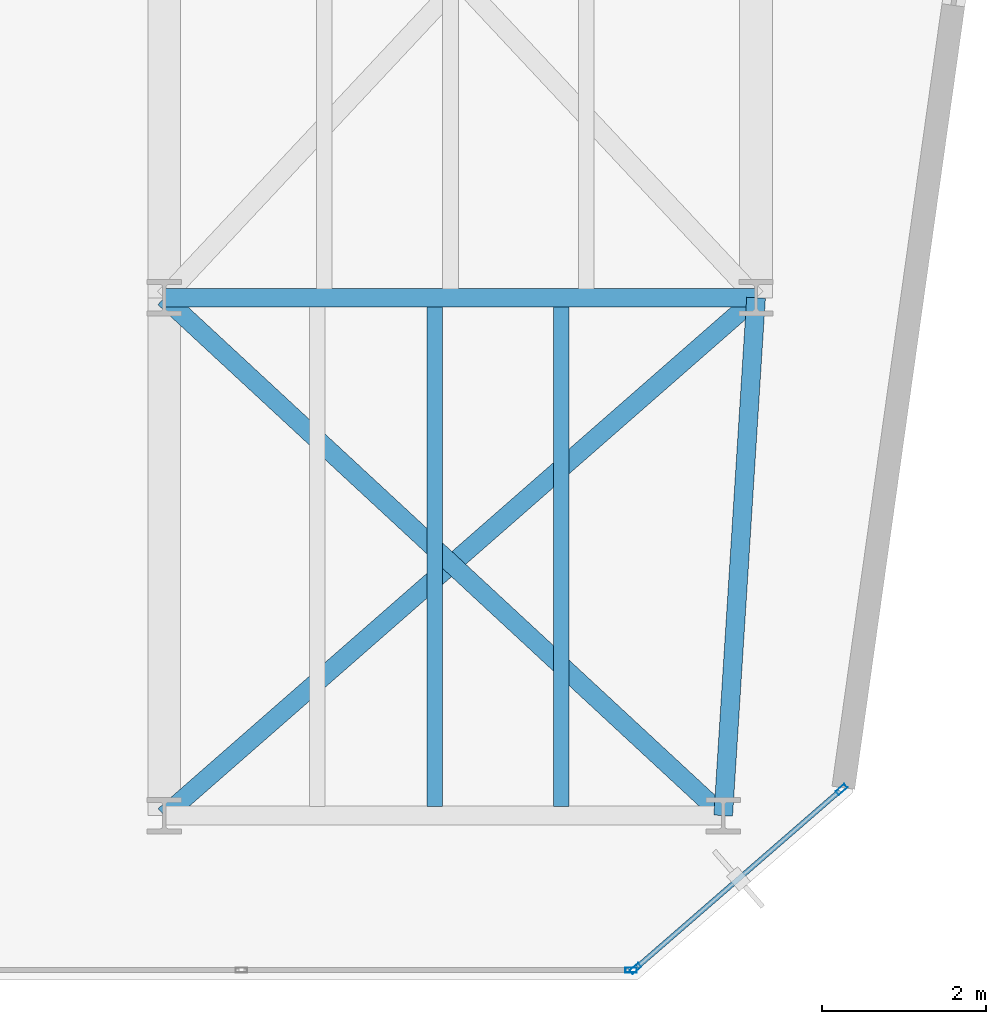
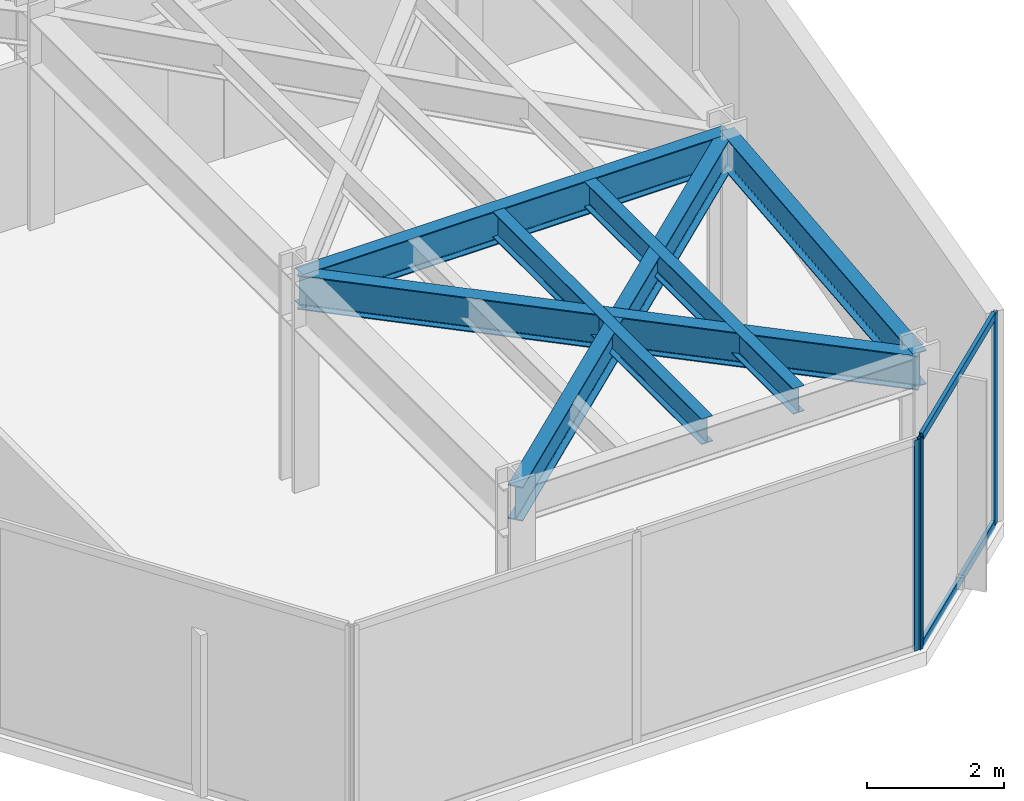
# One storey, part 19 of 26: 6 beams, 5 members, 2 elements without a shape of their own.
"""IFC4 building model written with IfcOpenShell, lengths in metres."""

from ifc_helpers import new_model, si_unit, direction, frame, origin, origin_2d, place, context, subcontext, project, spatial, hollow_rectangle, i_section, extrude, material, layer, layer_set, material_profile, profile_set, type_object, element, aggregate, save


model = new_model("IFC4")

# Units and contexts
model_context = context("Model", 3, precision=1e-05, world=origin(), true_north=direction((0.0, 1.0)))
body_context = subcontext(model_context, "Body", "Model", "MODEL_VIEW")
ifc_project = project(units=[si_unit("LENGTHUNIT", "METRE"), si_unit("AREAUNIT", "SQUARE_METRE"), si_unit("VOLUMEUNIT", "CUBIC_METRE"), si_unit("PLANEANGLEUNIT", "RADIAN"), si_unit("MASSUNIT", "GRAM", prefix="KILO")], contexts=[model_context])

# Site, building, storey
site_placement = place(None, origin())
site = spatial("IfcSite", under=ifc_project, at=site_placement, CompositionType="ELEMENT")
building_placement = place(site_placement, origin())
building = spatial("IfcBuilding", under=site, at=building_placement, Name="Kravanh Interchange Tower", CompositionType="ELEMENT")
storey_placement = place(building_placement, frame((0.0, 0.0, 148.0)))
storey = spatial("IfcBuildingStorey", under=building, at=storey_placement, Name="L35", CompositionType="ELEMENT", Elevation=148.0)

# Curtain wall, members
ifc_material_1 = material(Name="Anodised Bronze Aluminium", Category="aluminium")
ifc_layer = layer(ifc_material_1, 0.179931640625)
ifc_layer_set = layer_set([ifc_layer], Name="Unitised Curtain Wall System CW-Z2 Mid Office")
curtain_wall_type = type_object("IfcCurtainWallType", Name="Unitised Curtain Wall System CW-Z2 Mid Office", PredefinedType="NOTDEFINED", material=ifc_layer_set)
curtain_wall_1_placement = place(storey_placement, origin())
curtain_wall_1 = element("IfcCurtainWall", 1, at=curtain_wall_1_placement, inside=storey, type_object=curtain_wall_type, Name="L35 Unitised Curtain Wall CW-L35-02", PredefinedType="NOTDEFINED")
ifc_material_2 = material(Name="Anodised Bronze Aluminium", Category="aluminium")
ifc_material_profile_1 = material_profile(ifc_material_2, hollow_rectangle(XDim=0.06005859375, YDim=0.139892578125, WallThickness=0.00390625, at=origin_2d()), Name="ALU60X140X4")
ifc_profile_set_1 = profile_set([ifc_material_profile_1], Name="Anodised Bronze Aluminium")
member_type_1 = type_object("IfcMemberType", Name="Curtain Wall Mullion ALU60X140X4 Bronze", PredefinedType="MULLION", material=ifc_profile_set_1)
member_1_placement = place(storey_placement, frame((64.239990234375, 8.51904296875, 0.0), z_axis=(0.0, 0.0, 1.0), x_axis=(0.656047665617, -0.754719458103, 0.0)))
member_1 = element("IfcMember", 2, at=member_1_placement, type_object=member_type_1, Name="CW-Z2 mullion 1", PredefinedType="MULLION", context=body_context, shape_type="SweptSolid", body=[
    extrude(hollow_rectangle(XDim=0.06005859375, YDim=0.139892578125, WallThickness=0.00390625, at=origin_2d()), origin(), (0.0, 0.0, 1.0), 3.75),
])
member_2_placement = place(storey_placement, frame((61.73291015625, 6.339599609375, 0.0), z_axis=(0.0, 0.0, 1.0), x_axis=(0.656047665617, -0.754719458103, 0.0)))
member_2 = element("IfcMember", 3, at=member_2_placement, type_object=member_type_1, Name="CW-Z2 mullion 2", PredefinedType="MULLION", context=body_context, shape_type="SweptSolid", body=[
    extrude(hollow_rectangle(XDim=0.06005859375, YDim=0.139892578125, WallThickness=0.00390625, at=origin_2d()), origin(), (0.0, 0.0, 1.0), 3.75),
])

# Curtain wall, member
curtain_wall_2_placement = place(storey_placement, origin())
curtain_wall_2 = element("IfcCurtainWall", 4, at=curtain_wall_2_placement, inside=storey, type_object=curtain_wall_type, Name="L35 Unitised Curtain Wall CW-L35-03", PredefinedType="NOTDEFINED")
member_3_placement = place(storey_placement, frame((61.68017578125, 6.320068359375, 0.0), z_axis=(0.0, 0.0, 1.0), x_axis=(0.0, -1.0, 0.0)))
member_3 = element("IfcMember", 5, at=member_3_placement, type_object=member_type_1, Name="CW-Z2 mullion 1", PredefinedType="MULLION", context=body_context, shape_type="SweptSolid", body=[
    extrude(hollow_rectangle(XDim=0.06005859375, YDim=0.139892578125, WallThickness=0.00390625, at=origin_2d()), origin(), (0.0, 0.0, 1.0), 3.75),
])
aggregate(curtain_wall_2, [member_3])

# Member
ifc_material_3 = material(Name="Anodised Bronze Aluminium", Category="aluminium")
ifc_material_profile_2 = material_profile(ifc_material_3, hollow_rectangle(XDim=0.06005859375, YDim=0.139892578125, WallThickness=0.00390625, at=origin_2d()), Name="ALU60X140X4")
ifc_profile_set_2 = profile_set([ifc_material_profile_2], Name="Anodised Bronze Aluminium")
member_type_2 = type_object("IfcMemberType", Name="Curtain Wall Transom ALU60X140X4 Bronze", PredefinedType="USERDEFINED", material=ifc_profile_set_2)
member_4_placement = place(storey_placement, frame((64.21728515625, 8.499267578125, 0.030029296875), z_axis=(-0.754742467432, -0.656021194669, 0.0), x_axis=(0.656021194669, -0.754742467432, 0.0)))
member_4 = element("IfcMember", 6, at=member_4_placement, type_object=member_type_2, Name="CW-Z2 transom 1.1", ObjectType="TRANSOM", PredefinedType="USERDEFINED", context=body_context, shape_type="SweptSolid", body=[
    extrude(hollow_rectangle(XDim=0.06005859375, YDim=0.139892578125, WallThickness=0.00390625, at=origin_2d()), origin(), (0.0, 0.0, 1.0), 3.261962890625),
])

member_5_placement = place(storey_placement, frame((64.21728515625, 8.499267578125, 3.719970703125), z_axis=(-0.754742467432, -0.656021194669, 0.0), x_axis=(0.656021194669, -0.754742467432, 0.0)))
member_5 = element("IfcMember", 7, at=member_5_placement, type_object=member_type_2, Name="CW-Z2 transom 1.2", ObjectType="TRANSOM", PredefinedType="USERDEFINED", context=body_context, shape_type="SweptSolid", body=[
    extrude(hollow_rectangle(XDim=0.06005859375, YDim=0.139892578125, WallThickness=0.00390625, at=origin_2d()), origin(), (0.0, 0.0, 1.0), 3.261962890625),
])

aggregate(curtain_wall_1, [member_1, member_2, member_4, member_5])

# Beams
ifc_material_4 = material(Name="Structural Steel S355", Category="steel")
ifc_material_profile_3 = material_profile(ifc_material_4, i_section(OverallWidth=0.18994140625, OverallDepth=0.45703125, WebThickness=0.009033203125, FlangeThickness=0.014404296875, FilletRadius=0.01806640625, at=origin_2d()), Name="W18X50")
ifc_profile_set_3 = profile_set([ifc_material_profile_3], Name="Structural Steel S355")
beam_type_1 = type_object("IfcBeamType", Name="Floor Joist W18X50 Structural Steel S355", PredefinedType="JOIST", material=ifc_profile_set_3)
for number, where, z_axis, x_axis, name in (
    (8, (59.2900390625, 8.30908203125, 3.521484375), (0.0, 1.0, 0.0), (-1.0, 0.0, 0.0), "L35 Secondary Floor Joist 5"),
    (9, (60.830078125, 8.30908203125, 3.521484375), (0.0, 1.0, 0.0), (-1.0, 0.0, 0.0), "L35 Secondary Floor Joist 6"),
):
    element("IfcBeam", number, at=place(storey_placement, frame(where, z_axis=z_axis, x_axis=x_axis)), inside=storey, type_object=beam_type_1, Name=name, PredefinedType="JOIST", context=body_context, shape_type="SweptSolid", body=[
        extrude(i_section(OverallWidth=0.18994140625, OverallDepth=0.45703125, WebThickness=0.009033203125, FlangeThickness=0.014404296875, FilletRadius=0.01806640625, at=origin_2d()), origin(), (0.0, 0.0, 1.0), 6.08203125),
    ])
ifc_material_5 = material(Name="Structural Steel S355", Category="steel")
ifc_material_profile_4 = material_profile(ifc_material_5, i_section(OverallWidth=0.22802734375, OverallDepth=0.60791015625, WebThickness=0.01123046875, FlangeThickness=0.017333984375, FilletRadius=0.02197265625, at=origin_2d()), Name="W24X76")
ifc_profile_set_4 = profile_set([ifc_material_profile_4], Name="Structural Steel S355")
beam_type_2 = type_object("IfcBeamType", Name="Floor Spandrel W24X76 Structural Steel S355", PredefinedType="SPANDREL", material=ifc_profile_set_4)
beam_1_placement = place(storey_placement, frame((56.0, 8.199951171875, 3.446044921875), z_axis=(0.752571952274, 0.658510027752, 0.0), x_axis=(-0.658510027752, 0.752571952274, 0.0)))
element("IfcBeam", 10, at=beam_1_placement, inside=storey, type_object=beam_type_2, Name="L35 Perimeter Spandrel 97", PredefinedType="SPANDREL", context=body_context, shape_type="SweptSolid", body=[
    extrude(i_section(OverallWidth=0.22802734375, OverallDepth=0.60791015625, WebThickness=0.01123046875, FlangeThickness=0.017333984375, FilletRadius=0.02197265625, at=origin_2d()), origin(), (0.0, 0.0, 1.0), 9.567138671875),
])
beam_2_placement = place(storey_placement, frame((62.800048828125, 8.199951171875, 3.446044921875), z_axis=(0.063348576418, 0.99799146182, 0.0), x_axis=(-0.99799146182, 0.063348576418, 0.0)))
element("IfcBeam", 11, at=beam_2_placement, inside=storey, type_object=beam_type_2, Name="L35 Perimeter Spandrel 98", PredefinedType="SPANDREL", context=body_context, shape_type="SweptSolid", body=[
    extrude(i_section(OverallWidth=0.22802734375, OverallDepth=0.60791015625, WebThickness=0.01123046875, FlangeThickness=0.017333984375, FilletRadius=0.02197265625, at=origin_2d()), origin(), (0.0, 0.0, 1.0), 6.312744140625),
])
beam_3_placement = place(storey_placement, frame((62.800048828125, 8.199951171875, 3.446044921875), z_axis=(-0.733561267923, 0.679623326706, 0.0), x_axis=(-0.679623326706, -0.733561267923, 0.0)))
element("IfcBeam", 12, at=beam_3_placement, inside=storey, type_object=beam_type_2, Name="L35 Perimeter Spandrel 99", PredefinedType="SPANDREL", context=body_context, shape_type="SweptSolid", body=[
    extrude(i_section(OverallWidth=0.22802734375, OverallDepth=0.60791015625, WebThickness=0.01123046875, FlangeThickness=0.017333984375, FilletRadius=0.02197265625, at=origin_2d()), origin(), (0.0, 0.0, 1.0), 9.27001953125),
])
beam_4_placement = place(storey_placement, frame((56.0, 14.5, 3.446044921875), z_axis=(1.0, 0.0, 0.0), x_axis=(0.0, 1.0, 0.0)))
element("IfcBeam", 13, at=beam_4_placement, inside=storey, type_object=beam_type_2, Name="L35 Perimeter Spandrel 103", PredefinedType="SPANDREL", context=body_context, shape_type="SweptSolid", body=[
    extrude(i_section(OverallWidth=0.22802734375, OverallDepth=0.60791015625, WebThickness=0.01123046875, FlangeThickness=0.017333984375, FilletRadius=0.02197265625, at=origin_2d()), origin(), (0.0, 0.0, 1.0), 7.199951171875),
])

save(model, "model.ifc")
